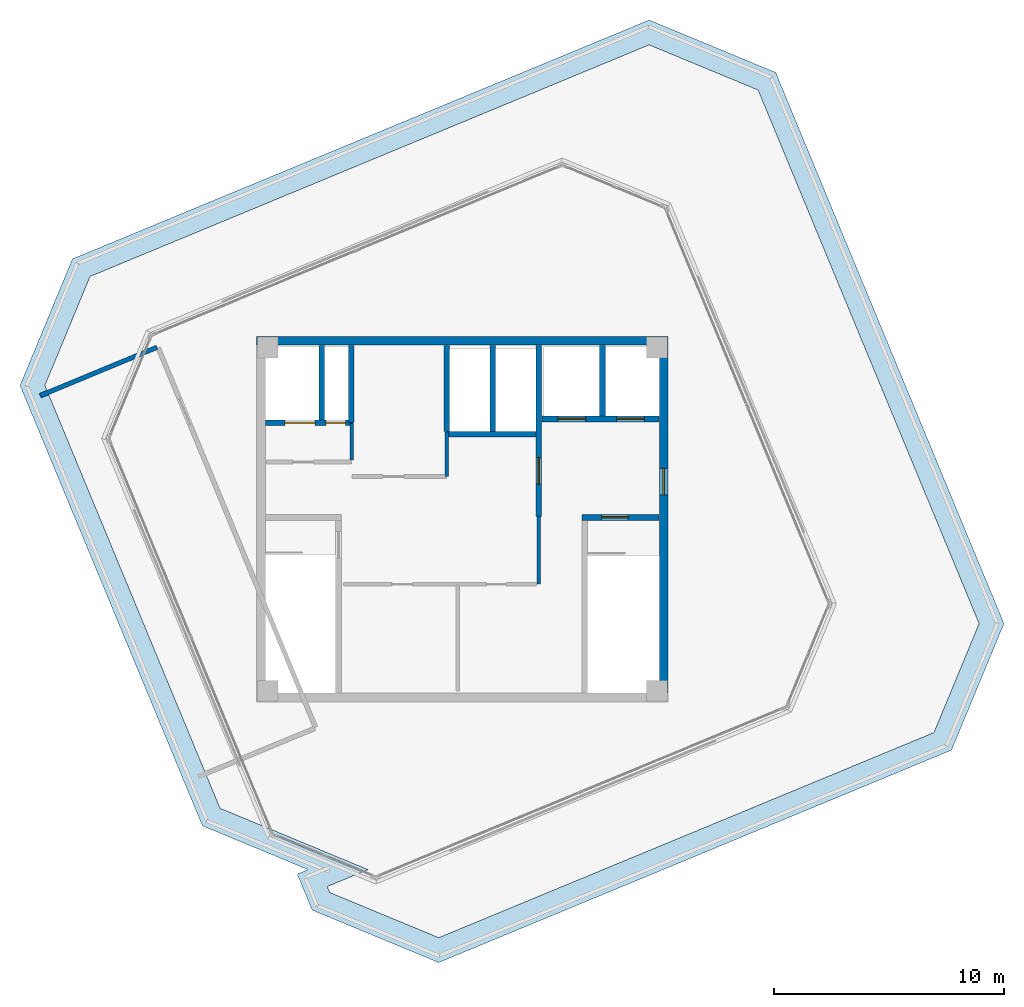
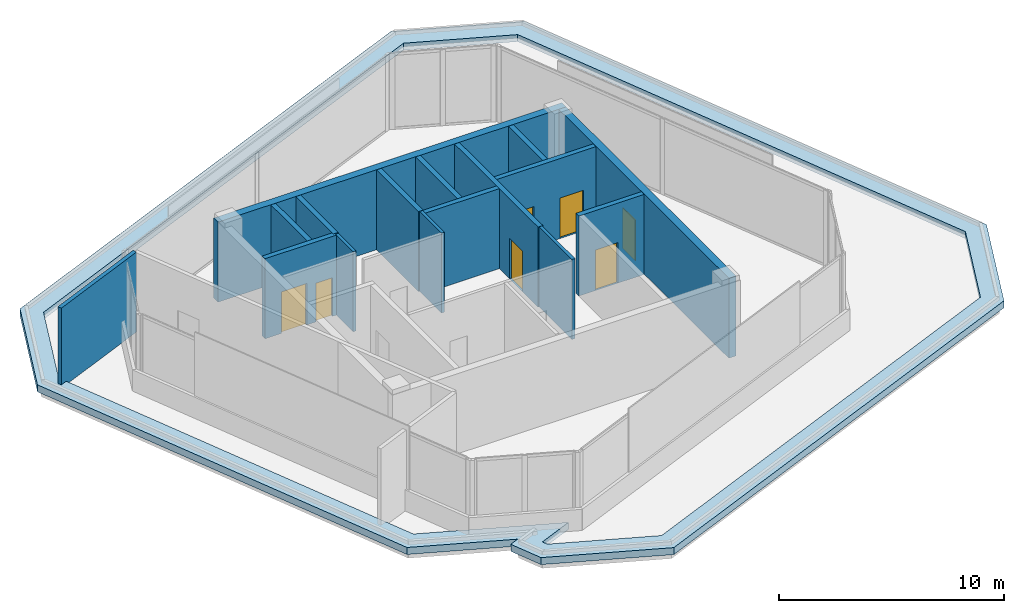
# One storey, part 10 of 11: 16 walls, 7 doors, 1 roof, 7 openings.
"""IFC4 building model written with IfcOpenShell, lengths in metres."""

from ifc_helpers import new_model, si_unit, direction, frame, frame_2d, origin, place, context, subcontext, project, spatial, polyline, rectangle, outline, extrude, source, transform, mapped, material, layer, layer_set, type_object, element, fill, save


model = new_model("IFC4")

# Units and contexts
model_context = context("Model", 3, precision=1e-05, world=origin(), true_north=direction((0.0, 1.0)))
body_context = subcontext(model_context, "Body", "Model", "MODEL_VIEW")
ifc_project = project(units=[si_unit("LENGTHUNIT", "METRE"), si_unit("AREAUNIT", "SQUARE_METRE"), si_unit("VOLUMEUNIT", "CUBIC_METRE"), si_unit("PLANEANGLEUNIT", "RADIAN"), si_unit("MASSUNIT", "GRAM", prefix="KILO")], contexts=[model_context])

# Site, building, storey
site_placement = place(None, origin())
site = spatial("IfcSite", under=ifc_project, at=site_placement, CompositionType="ELEMENT")
building_placement = place(site_placement, origin())
building = spatial("IfcBuilding", under=site, at=building_placement, Name="Torre Montelarca", CompositionType="ELEMENT")
storey_placement = place(building_placement, frame((0.0, 0.0, 366.0)))
storey = spatial("IfcBuildingStorey", under=building, at=storey_placement, Name="L82", CompositionType="ELEMENT", Elevation=366.0)

# Wall, opening, door
ifc_material_1 = material(Name="Concrete C40/50", Category="concrete")
ifc_layer_1 = layer(ifc_material_1, 0.25, Name="Concrete C40/50", Category="concrete")
ifc_layer_set_1 = layer_set([ifc_layer_1], Name="Concrete C40/50")
wall_type_1 = type_object("IfcWallType", Name="CW-SHAFT-250", PredefinedType="SHEAR", material=ifc_layer_set_1)
wall_1_placement = place(storey_placement, frame((23.18994140625, 32.074951171875, 0.0), z_axis=(0.0, 0.0, 1.0), x_axis=(1.0, 0.0, 0.0)))
wall_1 = element("IfcWall", 1, at=wall_1_placement, inside=storey, type_object=wall_type_1, Name="L82 Core Shear Wall SH-ST2-N", PredefinedType="SHEAR", context=body_context, shape_type="SweptSolid", body=[
    extrude(rectangle(XDim=3.35009765625, YDim=0.25, at=frame_2d((1.675048828125, 0.0))), origin(), (0.0, 0.0, 1.0), 4.340087890625),
])
opening_1_placement = place(wall_1_placement, frame((0.85009765625, 0.0, 0.0)))
opening_1 = element("IfcOpeningElement", 2, at=opening_1_placement, cuts=wall_1, Name="Opening FD-ST1", PredefinedType="OPENING", context=body_context, shape_type="SweptSolid", body=[
    extrude(rectangle(XDim=1.14990234375, YDim=2.199951171875, at=frame_2d((0.574951171875, 1.10009765625))), frame((0.0, 0.135009765625, 0.0), z_axis=(0.0, -1.0, 0.0), x_axis=(1.0, 0.0, 0.0)), (0.0, 0.0, 1.0), 0.27001953125),
])
ifc_material_2 = material(Name="Galvanized steel fire door", Category="steel")
door_type_1 = type_object("IfcDoorType", Name="DR-STAIR-115", OperationType="NOTDEFINED", PredefinedType="DOOR", material=ifc_material_2)
shared_shape_1 = source(origin(), body_context, "Body", "SweptSolid", [
    extrude(rectangle(XDim=1.14990234375, YDim=2.199951171875, at=frame_2d((0.574951171875, 1.10009765625))), frame((0.0, 0.02490234375, 0.0), z_axis=(0.0, -1.0, 0.0), x_axis=(1.0, 0.0, 0.0)), (0.0, 0.0, 1.0), 0.050048828125),
])
door_1_placement = place(opening_1_placement, origin())
door_1 = element("IfcDoor", 3, at=door_1_placement, inside=storey, type_object=door_type_1, Name="L82 Exit Stair ST2 Fire Door", OperationType="SINGLE_SWING_RIGHT", OverallHeight=2.199951171875, OverallWidth=1.14990234375, PredefinedType="DOOR", context=body_context, shape_type="MappedRepresentation", body=[
    mapped(shared_shape_1, transform((0.0, 0.0, 0.0), scale=1.0)),
])
fill(opening_1, door_1)

wall_2_placement = place(storey_placement, frame((21.320068359375, 32.1201171875, 0.0), z_axis=(0.0, 0.0, 1.0), x_axis=(0.0, 1.0, 0.0)))
wall_2 = element("IfcWall", 4, at=wall_2_placement, inside=storey, type_object=wall_type_1, Name="L82 Core Shear Wall SH-FFL-W", PredefinedType="SHEAR", context=body_context, shape_type="SweptSolid", body=[
    extrude(rectangle(XDim=7.419921875, YDim=0.25, at=frame_2d((3.7099609375, 0.0))), origin(), (0.0, 0.0, 1.0), 4.340087890625),
])
opening_2_placement = place(wall_2_placement, frame((1.39990234375, 0.0, 0.0)))
opening_2 = element("IfcOpeningElement", 5, at=opening_2_placement, cuts=wall_2, Name="Opening FD-LB1", PredefinedType="OPENING", context=body_context, shape_type="SweptSolid", body=[
    extrude(rectangle(XDim=1.14990234375, YDim=2.199951171875, at=frame_2d((0.574951171875, 1.10009765625))), frame((0.0, 0.135009765625, 0.0), z_axis=(0.0, -1.0, 0.0), x_axis=(1.0, 0.0, 0.0)), (0.0, 0.0, 1.0), 0.27001953125),
])
ifc_material_3 = material(Name="Acoustic timber-veneered fire door", Category="wood")
door_type_2 = type_object("IfcDoorType", Name="DR-LOBBY-115", OperationType="NOTDEFINED", PredefinedType="DOOR", material=ifc_material_3)
shared_shape_2 = source(origin(), body_context, "Body", "SweptSolid", [
    extrude(rectangle(XDim=1.14990234375, YDim=2.199951171875, at=frame_2d((0.574951171875, 1.10009765625))), frame((0.0, 0.02490234375, 0.0), z_axis=(0.0, -1.0, 0.0), x_axis=(1.0, 0.0, 0.0)), (0.0, 0.0, 1.0), 0.050048828125),
])
door_2_placement = place(opening_2_placement, origin())
door_2 = element("IfcDoor", 6, at=door_2_placement, inside=storey, type_object=door_type_2, Name="L82 Lift Lobby to Firefighting Lobby Smoke Door", OperationType="SINGLE_SWING_LEFT", OverallHeight=2.199951171875, OverallWidth=1.14990234375, PredefinedType="DOOR", context=body_context, shape_type="MappedRepresentation", body=[
    mapped(shared_shape_2, transform((0.0, 0.0, 0.0), scale=1.0)),
])
fill(opening_2, door_2)

# Wall, openings, doors
wall_3_placement = place(storey_placement, frame((9.4599609375, 36.179931640625, 0.0), z_axis=(0.0, 0.0, 1.0), x_axis=(1.0, 0.0, 0.0)))
wall_3 = element("IfcWall", 7, at=wall_3_placement, inside=storey, type_object=wall_type_1, Name="L82 Core Shear Wall SH-SV1-S", PredefinedType="SHEAR", context=body_context, shape_type="SweptSolid", body=[
    extrude(rectangle(XDim=3.7900390625, YDim=0.25, at=frame_2d((1.89501953125, 0.0))), origin(), (0.0, 0.0, 1.0), 4.340087890625),
])
opening_3_placement = place(wall_3_placement, frame((2.6201171875, 0.0, 0.0)))
opening_3 = element("IfcOpeningElement", 8, at=opening_3_placement, cuts=wall_3, Name="Opening FD-085", PredefinedType="OPENING", context=body_context, shape_type="SweptSolid", body=[
    extrude(rectangle(XDim=0.85009765625, YDim=2.10009765625, at=frame_2d((0.425048828125, 1.050048828125))), frame((0.0, 0.135009765625, 0.0), z_axis=(0.0, -1.0, 0.0), x_axis=(1.0, 0.0, 0.0)), (0.0, 0.0, 1.0), 0.27001953125),
])
opening_4_placement = place(wall_3_placement, frame((0.85009765625, 0.0, 0.0)))
opening_4 = element("IfcOpeningElement", 9, at=opening_4_placement, cuts=wall_3, Name="Opening LD-130", PredefinedType="OPENING", context=body_context, shape_type="SweptSolid", body=[
    extrude(rectangle(XDim=1.300048828125, YDim=2.25, at=frame_2d((0.64990234375, 1.125))), frame((0.0, 0.135009765625, 0.0), z_axis=(0.0, -1.0, 0.0), x_axis=(1.0, 0.0, 0.0)), (0.0, 0.0, 1.0), 0.27001953125),
])
ifc_material_4 = material(Name="Steel riser access fire door", Category="steel")
door_type_3 = type_object("IfcDoorType", Name="DR-RISER-085", OperationType="NOTDEFINED", PredefinedType="DOOR", material=ifc_material_4)
shared_shape_3 = source(origin(), body_context, "Body", "SweptSolid", [
    extrude(rectangle(XDim=0.85009765625, YDim=2.10009765625, at=frame_2d((0.425048828125, 1.050048828125))), frame((0.0, 0.02490234375, 0.0), z_axis=(0.0, -1.0, 0.0), x_axis=(1.0, 0.0, 0.0)), (0.0, 0.0, 1.0), 0.050048828125),
])
door_3_placement = place(opening_3_placement, origin())
door_3 = element("IfcDoor", 10, at=door_3_placement, inside=storey, type_object=door_type_3, Name="L82 Electrical Riser Shaft Access Door", OperationType="SINGLE_SWING_RIGHT", OverallHeight=2.10009765625, OverallWidth=0.85009765625, PredefinedType="DOOR", context=body_context, shape_type="MappedRepresentation", body=[
    mapped(shared_shape_3, transform((0.0, 0.0, 0.0), scale=1.0)),
])
fill(opening_3, door_3)
ifc_material_5 = material(Name="Brushed stainless steel AISI 316", Category="steel")
door_type_4 = type_object("IfcDoorType", Name="DR-LIFT-130", OperationType="SLIDING_TO_LEFT", PredefinedType="DOOR", material=ifc_material_5)
shared_shape_4 = source(origin(), body_context, "Body", "SweptSolid", [
    extrude(rectangle(XDim=1.300048828125, YDim=2.25, at=frame_2d((0.64990234375, 1.125))), frame((0.0, 0.02490234375, 0.0), z_axis=(0.0, -1.0, 0.0), x_axis=(1.0, 0.0, 0.0)), (0.0, 0.0, 1.0), 0.050048828125),
])
door_4_placement = place(opening_4_placement, origin())
door_4 = element("IfcDoor", 11, at=door_4_placement, inside=storey, type_object=door_type_4, Name="L82 Lift Landing Sliding Door SV-1", OperationType="SLIDING_TO_LEFT", OverallHeight=2.25, OverallWidth=1.300048828125, PredefinedType="DOOR", context=body_context, shape_type="MappedRepresentation", body=[
    mapped(shared_shape_4, transform((0.0, 0.0, 0.0), scale=1.0)),
])
fill(opening_4, door_4)

# Wall
wall_4_placement = place(storey_placement, frame((11.89990234375, 36.31005859375, 0.0), z_axis=(0.0, 0.0, 1.0), x_axis=(0.0, 1.0, 0.0)))
element("IfcWall", 12, at=wall_4_placement, inside=storey, type_object=wall_type_1, Name="L82 Core Shear Wall SH-SV1-E", PredefinedType="SHEAR", context=body_context, shape_type="SweptSolid", body=[
    extrude(rectangle(XDim=3.22998046875, YDim=0.25, at=frame_2d((1.614990234375, 0.0))), origin(), (0.0, 0.0, 1.0), 4.340087890625),
])

# Wall, openings, doors
wall_5_placement = place(storey_placement, frame((21.449951171875, 36.35009765625, 0.0), z_axis=(0.0, 0.0, 1.0), x_axis=(1.0, 0.0, 0.0)))
wall_5 = element("IfcWall", 13, at=wall_5_placement, inside=storey, type_object=wall_type_1, Name="L82 Core Shear Wall SH-FF-S", PredefinedType="SHEAR", context=body_context, shape_type="SweptSolid", body=[
    extrude(rectangle(XDim=5.090087890625, YDim=0.25, at=frame_2d((2.544921875, 0.0))), origin(), (0.0, 0.0, 1.0), 4.340087890625),
])
opening_5_placement = place(wall_5_placement, frame((0.699951171875, 0.0, 0.0)))
opening_5 = element("IfcOpeningElement", 14, at=opening_5_placement, cuts=wall_5, Name="Opening LD-120", PredefinedType="OPENING", context=body_context, shape_type="SweptSolid", body=[
    extrude(rectangle(XDim=1.199951171875, YDim=2.199951171875, at=frame_2d((0.60009765625, 1.10009765625))), frame((0.0, 0.135009765625, 0.0), z_axis=(0.0, -1.0, 0.0), x_axis=(1.0, 0.0, 0.0)), (0.0, 0.0, 1.0), 0.27001953125),
])
opening_6_placement = place(wall_5_placement, frame((3.25, 0.0, 0.0)))
opening_6 = element("IfcOpeningElement", 15, at=opening_6_placement, cuts=wall_5, Name="Opening LD-120", PredefinedType="OPENING", context=body_context, shape_type="SweptSolid", body=[
    extrude(rectangle(XDim=1.199951171875, YDim=2.199951171875, at=frame_2d((0.60009765625, 1.10009765625))), frame((0.0, 0.135009765625, 0.0), z_axis=(0.0, -1.0, 0.0), x_axis=(1.0, 0.0, 0.0)), (0.0, 0.0, 1.0), 0.27001953125),
])
door_type_5 = type_object("IfcDoorType", Name="DR-LIFT-120", OperationType="SLIDING_TO_RIGHT", PredefinedType="DOOR", material=ifc_material_5)
shared_shape_5 = source(origin(), body_context, "Body", "SweptSolid", [
    extrude(rectangle(XDim=1.199951171875, YDim=2.199951171875, at=frame_2d((0.60009765625, 1.10009765625))), frame((0.0, 0.02490234375, 0.0), z_axis=(0.0, -1.0, 0.0), x_axis=(1.0, 0.0, 0.0)), (0.0, 0.0, 1.0), 0.050048828125),
])
door_5_placement = place(opening_5_placement, origin())
door_5 = element("IfcDoor", 16, at=door_5_placement, inside=storey, type_object=door_type_5, Name="L82 Lift Landing Sliding Door FF-1", OperationType="SLIDING_TO_LEFT", OverallHeight=2.199951171875, OverallWidth=1.199951171875, PredefinedType="DOOR", context=body_context, shape_type="MappedRepresentation", body=[
    mapped(shared_shape_5, transform((0.0, 0.0, 0.0), scale=1.0)),
])
fill(opening_5, door_5)
door_6_placement = place(opening_6_placement, origin())
door_6 = element("IfcDoor", 17, at=door_6_placement, inside=storey, type_object=door_type_5, Name="L82 Lift Landing Sliding Door FF-2", OperationType="SLIDING_TO_RIGHT", OverallHeight=2.199951171875, OverallWidth=1.199951171875, PredefinedType="DOOR", context=body_context, shape_type="MappedRepresentation", body=[
    mapped(shared_shape_5, transform((0.0, 0.0, 0.0), scale=1.0)),
])
fill(opening_6, door_6)

# Walls
wall_6_placement = place(storey_placement, frame((24.080078125, 36.47998046875, 0.0), z_axis=(0.0, 0.0, 1.0), x_axis=(0.0, 1.0, 0.0)))
element("IfcWall", 18, at=wall_6_placement, inside=storey, type_object=wall_type_1, Name="L82 Core Shear Wall SH-FF-M", PredefinedType="SHEAR", context=body_context, shape_type="SweptSolid", body=[
    extrude(rectangle(XDim=3.06005859375, YDim=0.25, at=frame_2d((1.530029296875, 0.0))), origin(), (0.0, 0.0, 1.0), 4.340087890625),
])
wall_7_placement = place(storey_placement, frame((13.179931640625, 36.199951171875, 0.0), z_axis=(0.0, 0.0, 1.0), x_axis=(0.0, 1.0, 0.0)))
element("IfcWall", 19, at=wall_7_placement, inside=storey, type_object=wall_type_1, Name="L82 Core Shear Wall SH-RSR1-E", PredefinedType="SHEAR", context=body_context, shape_type="SweptSolid", body=[
    extrude(rectangle(XDim=3.340087890625, YDim=0.25, at=frame_2d((1.669921875, 0.0))), origin(), (0.0, 0.0, 1.0), 4.340087890625),
])
wall_8_placement = place(storey_placement, frame((17.320068359375, 35.679931640625, 0.0), z_axis=(0.0, 0.0, 1.0), x_axis=(1.0, 0.0, 0.0)))
element("IfcWall", 20, at=wall_8_placement, inside=storey, type_object=wall_type_1, Name="L82 Core Shear Wall SH-PLH-S", PredefinedType="SHEAR", context=body_context, shape_type="SweptSolid", body=[
    extrude(rectangle(XDim=3.869873046875, YDim=0.25, at=frame_2d((1.93505859375, 0.0))), origin(), (0.0, 0.0, 1.0), 4.340087890625),
])
for number, where, z_axis, x_axis, name in (
    (21, (17.320068359375, 35.81005859375, 0.0), (0.0, 0.0, 1.0), (0.0, 1.0, 0.0), "L82 Core Shear Wall SH-PLH-W"),
    (22, (19.320068359375, 35.81005859375, 0.0), (0.0, 0.0, 1.0), (0.0, 1.0, 0.0), "L82 Core Shear Wall SH-PLH-M"),
):
    element("IfcWall", number, at=place(storey_placement, frame(where, z_axis=z_axis, x_axis=x_axis)), inside=storey, type_object=wall_type_1, Name=name, PredefinedType="SHEAR", context=body_context, shape_type="SweptSolid", body=[
        extrude(rectangle(XDim=3.72998046875, YDim=0.25, at=frame_2d((1.864990234375, 0.0))), origin(), (0.0, 0.0, 1.0), 4.340087890625),
    ])

# Wall, opening, door
ifc_layer_2 = layer(ifc_material_1, 0.3798828125, Name="Concrete C40/50", Category="concrete")
ifc_layer_set_2 = layer_set([ifc_layer_2], Name="Concrete C40/50")
wall_type_2 = type_object("IfcWallType", Name="CW-SHEAR-380", PredefinedType="SHEAR", material=ifc_layer_set_2)
wall_9_placement = place(storey_placement, frame((26.739990234375, 24.449951171875, 0.0), z_axis=(0.0, 0.0, 1.0), x_axis=(0.0, 1.0, 0.0)))
wall_9 = element("IfcWall", 23, at=wall_9_placement, inside=storey, type_object=wall_type_2, Name="L82 Core Shear Wall CW-E", PredefinedType="SHEAR", context=body_context, shape_type="SweptSolid", body=[
    extrude(rectangle(XDim=15.10009765625, YDim=0.3798828125, at=frame_2d((7.550048828125, 0.0))), origin(), (0.0, 0.0, 1.0), 4.340087890625),
])
opening_7_placement = place(wall_9_placement, frame((8.60009765625, 0.0, 0.0)))
opening_7 = element("IfcOpeningElement", 24, at=opening_7_placement, cuts=wall_9, Name="Opening FD-LB1", PredefinedType="OPENING", context=body_context, shape_type="SweptSolid", body=[
    extrude(rectangle(XDim=1.14990234375, YDim=2.199951171875, at=frame_2d((0.574951171875, 1.10009765625))), frame((0.0, 0.199951171875, 0.0), z_axis=(0.0, -1.0, 0.0), x_axis=(1.0, 0.0, 0.0)), (0.0, 0.0, 1.0), 0.39990234375),
])
door_7_placement = place(opening_7_placement, origin())
door_7 = element("IfcDoor", 25, at=door_7_placement, inside=storey, type_object=door_type_2, Name="L82 Firefighting Lift Lobby Corridor Fire Door", OperationType="SINGLE_SWING_RIGHT", OverallHeight=2.199951171875, OverallWidth=1.14990234375, PredefinedType="DOOR", context=body_context, shape_type="MappedRepresentation", body=[
    mapped(shared_shape_2, transform((0.0, 0.0, 0.0), scale=1.0)),
])
fill(opening_7, door_7)

# Walls
wall_10_placement = place(storey_placement, frame((9.070068359375, 39.739990234375, 0.0), z_axis=(0.0, 0.0, 1.0), x_axis=(1.0, 0.0, 0.0)))
element("IfcWall", 26, at=wall_10_placement, inside=storey, type_object=wall_type_2, Name="L82 Core Shear Wall CW-N1", PredefinedType="SHEAR", context=body_context, shape_type="SweptSolid", body=[
    extrude(rectangle(XDim=17.85986328125, YDim=0.3798828125, at=frame_2d((8.929931640625, 0.0))), origin(), (0.0, 0.0, 1.0), 4.340087890625),
])
ifc_material_6 = material(Name="Gypsum plasterboard on steel stud", Category="steel")
ifc_layer_3 = layer(ifc_material_6, 0.159912109375, Name="Gypsum plasterboard on steel stud", Category="steel")
ifc_layer_set_3 = layer_set([ifc_layer_3], Name="Gypsum plasterboard on steel stud")
wall_type_3 = type_object("IfcWallType", Name="PW-FIRE-160", PredefinedType="PARTITIONING", material=ifc_layer_set_3)
wall_11_placement = place(storey_placement, frame((13.199951171875, 34.570068359375, 0.0), z_axis=(0.0, 0.0, 1.0), x_axis=(0.0, 1.0, 0.0)))
element("IfcWall", 27, at=wall_11_placement, inside=storey, type_object=wall_type_3, Name="L82 Interior Partition CW-L82-SVE", PredefinedType="PARTITIONING", context=body_context, shape_type="SweptSolid", body=[
    extrude(rectangle(XDim=1.56982421875, YDim=0.159912109375, at=frame_2d((0.784912109375, 0.0))), origin(), (0.0, 0.0, 1.0), 4.340087890625),
])
wall_12_placement = place(storey_placement, frame((17.320068359375, 33.860107421875, 0.0), z_axis=(0.0, 0.0, 1.0), x_axis=(0.0, 1.0, 0.0)))
element("IfcWall", 28, at=wall_12_placement, inside=storey, type_object=wall_type_3, Name="L82 Interior Partition CW-L82-FRME", PredefinedType="PARTITIONING", context=body_context, shape_type="SweptSolid", body=[
    extrude(rectangle(XDim=1.929931640625, YDim=0.159912109375, at=frame_2d((0.96484375, 0.0))), origin(), (0.0, 0.0, 1.0), 4.340087890625),
])
wall_13_placement = place(storey_placement, frame((21.320068359375, 29.18994140625, 0.0), z_axis=(0.0, 0.0, 1.0), x_axis=(0.0, 1.0, 0.0)))
element("IfcWall", 29, at=wall_13_placement, inside=storey, type_object=wall_type_3, Name="L82 Interior Partition CW-L82-FRE", PredefinedType="PARTITIONING", context=body_context, shape_type="SweptSolid", body=[
    extrude(rectangle(XDim=2.920166015625, YDim=0.159912109375, at=frame_2d((1.4599609375, 0.0))), origin(), (0.0, 0.0, 1.0), 4.340087890625),
])
ifc_material_7 = material(Name="Gypsum fireboard and rockwool on steel stud", Category="steel")
ifc_layer_4 = layer(ifc_material_7, 0.199951171875, Name="Gypsum fireboard and rockwool on steel stud", Category="steel")
ifc_layer_set_4 = layer_set([ifc_layer_4], Name="Gypsum fireboard and rockwool on steel stud")
wall_type_4 = type_object("IfcWallType", Name="PW-FIRE-200", PredefinedType="SOLIDWALL", material=ifc_layer_set_4)
wall_14_placement = place(storey_placement, frame((-0.321044921875, 37.357177734375, 0.0), z_axis=(0.0, 0.0, 1.0), x_axis=(0.923884041107, 0.382672547472, 0.0)))
element("IfcWall", 30, at=wall_14_placement, inside=storey, type_object=wall_type_4, Name="L82 Interior Partition W-L82-LMRW", PredefinedType="SOLIDWALL", context=body_context, shape_type="SweptSolid", body=[
    extrude(rectangle(XDim=5.489990234375, YDim=0.199951171875, at=frame_2d((2.7451171875, 0.0))), origin(), (0.0, 0.0, 1.0), 4.340087890625),
])

# Roof
ifc_material_8 = material(Name="Precast concrete C45/55", Category="concrete")
ifc_layer_5 = layer(ifc_material_8, 0.199951171875, Name="Precast concrete C45/55", Category="concrete")
ifc_layer_set_5 = layer_set([ifc_layer_5], Name="Precast concrete C45/55")
roof_type = type_object("IfcRoofType", Name="RF-CANOPY-200", PredefinedType="FLAT_ROOF", material=ifc_layer_set_5)
roof_placement = place(storey_placement, frame((0.0, 0.0, -0.199951171875)))
element("IfcRoof", 31, at=roof_placement, inside=storey, type_object=roof_type, Name="L82 Observation Canopy Terracotta Eave Fascia 01", PredefinedType="FLAT_ROOF", context=body_context, shape_type="SweptSolid", body=[
    extrude(outline(polyline([(-1.197509765625, 37.800537109375), (6.72021484375, 18.685546875), (11.2998046875, 16.78857421875), (10.8330078125, 16.59521484375), (11.481689453125, 15.029296875), (16.975830078125, 12.753662109375), (39.232177734375, 21.972412109375), (41.5078125, 27.466552734375), (31.60009765625, 51.3857421875), (26.106201171875, 53.66162109375), (1.078125, 43.294677734375), (-1.197509765625, 37.800537109375)]), holes=[polyline([(7.485595703125, 19.450927734375), (13.912841796875, 16.78857421875), (12.1396484375, 16.05419921875), (12.247314453125, 15.794921875), (16.975830078125, 13.836181640625), (38.466796875, 22.73779296875), (40.42529296875, 27.466552734375), (30.834716796875, 50.620361328125), (26.106201171875, 52.5791015625), (1.843505859375, 42.529296875), (-0.114990234375, 37.800537109375), (7.485595703125, 19.450927734375)])]), origin(), (0.0, 0.0, 1.0), 0.3798828125),
])

save(model, "model.ifc")
